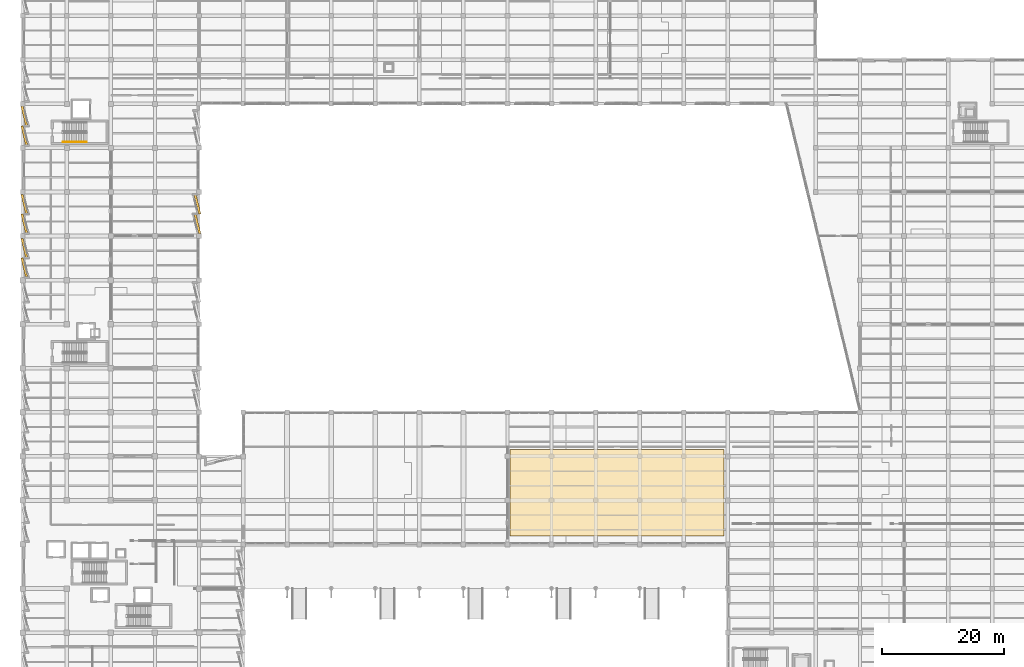
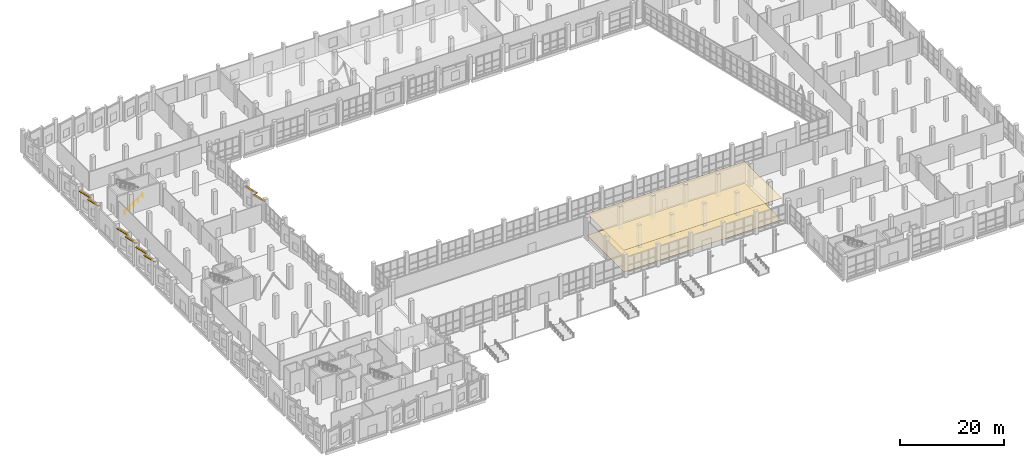
# One storey, part 125 of 137: 8 shading devices, 2 coverings, 1 railing.
"""IFC4 building model written with IfcOpenShell, lengths in metres."""

from ifc_helpers import new_model, si_unit, direction, frame, origin, origin_2d, place, context, subcontext, project, spatial, polyline, rectangle, circle, outline, extrude, material, layer, layer_set, type_object, element, save


model = new_model("IFC4")

# Units and contexts
model_context = context("Model", 3, precision=1e-05, world=origin(), true_north=direction((0.0, 1.0)))
body_context = subcontext(model_context, "Body", "Model", "MODEL_VIEW")
ifc_project = project(units=[si_unit("LENGTHUNIT", "METRE"), si_unit("AREAUNIT", "SQUARE_METRE"), si_unit("VOLUMEUNIT", "CUBIC_METRE"), si_unit("PLANEANGLEUNIT", "RADIAN"), si_unit("MASSUNIT", "GRAM", prefix="KILO")], contexts=[model_context])

# Site, building, storey
site_placement = place(None, origin())
site = spatial("IfcSite", under=ifc_project, at=site_placement, CompositionType="ELEMENT")
building_placement = place(site_placement, origin())
building = spatial("IfcBuilding", under=site, at=building_placement, Name="Kalmorath City Hall", CompositionType="ELEMENT")
storey_placement = place(building_placement, origin())
storey = spatial("IfcBuildingStorey", under=building, at=storey_placement, Name="L00", CompositionType="ELEMENT", Elevation=0.0)

# Coverings
ifc_material_1 = material(Name="Perforated acoustic gypsum ceiling")
ifc_layer_1 = layer(ifc_material_1, 0.0400390625)
ifc_layer_set_1 = layer_set([ifc_layer_1], Name="Perforated acoustic gypsum ceiling")
covering_type_1 = type_object("IfcCoveringType", Name="Perforated acoustic suspended ceiling 40", PredefinedType="CEILING", material=ifc_layer_set_1)
covering_1_placement = place(storey_placement, frame((0.0, 0.0, 5.080078125)))
element("IfcCovering", 1, at=covering_1_placement, inside=storey, type_object=covering_type_1, Name="L00 Citizens Service Centre Counters acoustic ceiling", PredefinedType="CEILING", context=body_context, shape_type="SweptSolid", body=[
    extrude(outline(polyline([(114.550048828125, 22.949951171875), (79.64990234375, 22.949951171875), (79.64990234375, 37.14990234375), (114.550048828125, 37.14990234375), (114.550048828125, 22.949951171875)])), origin(), (0.0, 0.0, 1.0), 0.0400390625),
])
ifc_material_2 = material(Name="Polished terrazzo finish")
ifc_layer_2 = layer(ifc_material_2, 0.034912109375)
ifc_layer_set_2 = layer_set([ifc_layer_2], Name="Polished terrazzo finish")
covering_type_2 = type_object("IfcCoveringType", Name="Polished civic terrazzo floor finish 35", PredefinedType="FLOORING", material=ifc_layer_set_2)
covering_2_placement = place(storey_placement, origin())
element("IfcCovering", 2, at=covering_2_placement, inside=storey, type_object=covering_type_2, Name="L00 Citizens Service Centre Counters terrazzo flooring", PredefinedType="FLOORING", context=body_context, shape_type="SweptSolid", body=[
    extrude(outline(polyline([(114.550048828125, 22.949951171875), (79.64990234375, 22.949951171875), (79.64990234375, 37.14990234375), (114.550048828125, 37.14990234375), (114.550048828125, 22.949951171875)])), origin(), (0.0, 0.0, 1.0), 0.034912109375),
])

# Shading devices
ifc_material_3 = material(Name="Precast concrete C40/50", Category="concrete")
ifc_layer_3 = layer(ifc_material_3, 0.179931640625)
ifc_layer_set_3 = layer_set([ifc_layer_3], Name="Precast concrete C40/50")
shading_device_type = type_object("IfcShadingDeviceType", Name="Precast sawtooth brow sunshade 350", PredefinedType="USERDEFINED", material=ifc_layer_set_3)
for number, where, z_axis, x_axis, name in (
    (3, (0.25, 66.88427734375, 4.2509765625), (0.0, 0.0, 1.0), (-0.233445363856, 0.972369920398, 0.0), "L00 precast sawtooth hood #15"),
    (4, (0.25, 70.05810546875, 4.2509765625), (0.0, 0.0, 1.0), (-0.233445363856, 0.972369920398, 0.0), "L00 precast sawtooth hood #16"),
):
    element("IfcShadingDevice", number, at=place(storey_placement, frame(where, z_axis=z_axis, x_axis=x_axis)), inside=storey, type_object=shading_device_type, Name=name, ObjectType="SUNSHADE", PredefinedType="USERDEFINED", context=body_context, shape_type="SweptSolid", body=[
        extrude(rectangle(XDim=3.169189453125, YDim=0.360107421875, at=origin_2d()), origin(), (0.0, 0.0, 1.0), 0.179931640625),
    ])
for number, where, z_axis, x_axis, name in (
    (5, (0.2529296875, 74.046630859375, 4.2509765625), (0.0, 0.0, 1.0), (-0.233445363856, 0.972369920398, 0.0), "L00 precast sawtooth hood #17"),
    (6, (0.2529296875, 77.24560546875, 4.2509765625), (0.0, 0.0, 1.0), (-0.233445363856, 0.972369920398, 0.0), "L00 precast sawtooth hood #18"),
    (7, (0.2529296875, 88.44677734375, 4.2509765625), (0.0, 0.0, 1.0), (-0.233445363856, 0.972369920398, 0.0), "L00 precast sawtooth hood #19"),
    (8, (0.2529296875, 91.645751953125, 4.2509765625), (0.0, 0.0, 1.0), (-0.233445363856, 0.972369920398, 0.0), "L00 precast sawtooth hood #20"),
):
    element("IfcShadingDevice", number, at=place(storey_placement, frame(where, z_axis=z_axis, x_axis=x_axis)), inside=storey, type_object=shading_device_type, Name=name, ObjectType="SUNSHADE", PredefinedType="USERDEFINED", context=body_context, shape_type="SweptSolid", body=[
        extrude(rectangle(XDim=3.19482421875, YDim=0.360107421875, at=origin_2d()), origin(), (0.0, 0.0, 1.0), 0.179931640625),
    ])
for number, where, z_axis, x_axis, name in (
    (9, (28.544189453125, 77.165771484375, 4.2509765625), (0.0, 0.0, 1.0), (0.233445363856, -0.972369920398, 0.0), "L00 precast sawtooth hood #79"),
    (10, (28.544189453125, 73.94189453125, 4.2509765625), (0.0, 0.0, 1.0), (0.233445363856, -0.972369920398, 0.0), "L00 precast sawtooth hood #80"),
):
    element("IfcShadingDevice", number, at=place(storey_placement, frame(where, z_axis=z_axis, x_axis=x_axis)), inside=storey, type_object=shading_device_type, Name=name, ObjectType="SUNSHADE", PredefinedType="USERDEFINED", context=body_context, shape_type="SweptSolid", body=[
        extrude(rectangle(XDim=3.220703125, YDim=0.360107421875, at=origin_2d()), origin(), (0.0, 0.0, 1.0), 0.179931640625),
    ])

# Railing
ifc_material_4 = material(Name="Brushed stainless steel handrail", Category="steel")
railing_type = type_object("IfcRailingType", Name="Stair pitch handrail 900", PredefinedType="HANDRAIL", material=ifc_material_4)
railing_placement = place(storey_placement, frame((6.550048828125, 87.35009765625, 0.179931640625)))
element("IfcRailing", 11, at=railing_placement, inside=storey, type_object=railing_type, Name="L00 ST-4 stair handrail 1", PredefinedType="HANDRAIL", context=body_context, shape_type="SweptSolid", body=[
    extrude(circle(Radius=0.02392578125, at=origin_2d()), frame((0.0, 0.0, 0.8759765625), z_axis=(0.841171666519, 0.0, 0.540768182723), x_axis=(0.0, 1.0, 0.0)), (0.0, 0.0, 1.0), 4.66015625),
    extrude(circle(Radius=0.02099609375, at=origin_2d()), origin(), (0.0, 0.0, 1.0), 0.851806640625),
    extrude(circle(Radius=0.02099609375, at=origin_2d()), frame((0.97998046875, 0.0, 0.6298828125)), (0.0, 0.0, 1.0), 0.851806640625),
    extrude(circle(Radius=0.02099609375, at=origin_2d()), frame((1.9599609375, 0.0, 1.260009765625)), (0.0, 0.0, 1.0), 0.851806640625),
    extrude(circle(Radius=0.02099609375, at=origin_2d()), frame((2.93994140625, 0.0, 1.89013671875)), (0.0, 0.0, 1.0), 0.851806640625),
    extrude(circle(Radius=0.02099609375, at=origin_2d()), frame((3.919921875, 0.0, 2.52001953125)), (0.0, 0.0, 1.0), 0.851806640625),
])

save(model, "model.ifc")
